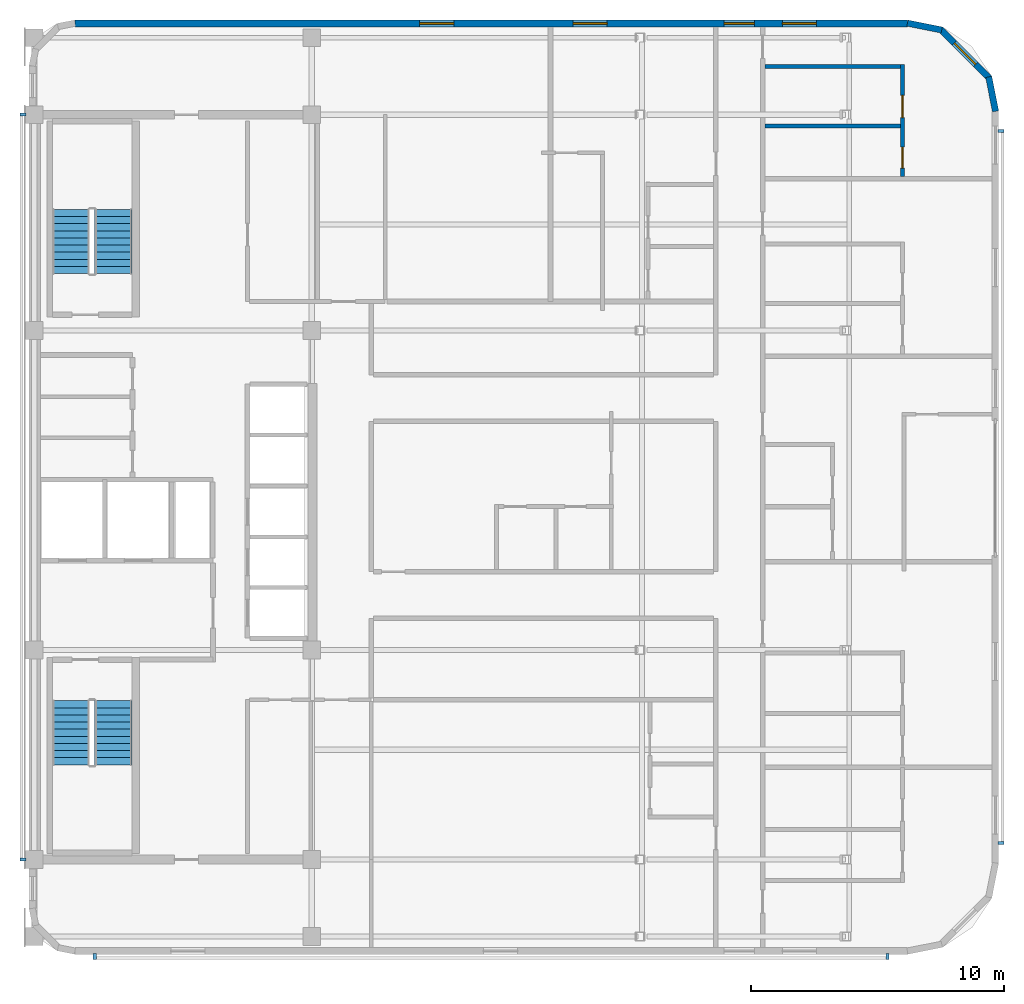
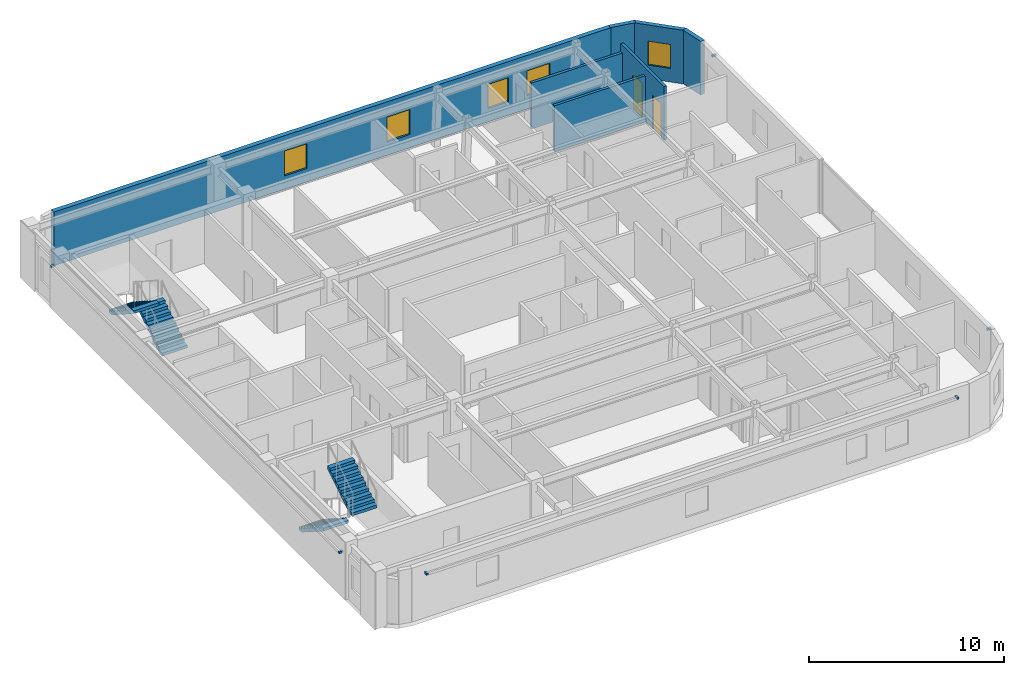
# One storey, part 7 of 10: 7 walls, 6 discrete accessories, 5 windows, 4 stair flights, 2 doors, 7 openings, 2 elements without a shape of their own.
"""IFC4 building model written with IfcOpenShell, lengths in metres."""

from ifc_helpers import new_model, si_unit, direction, frame, frame_2d, origin, origin_2d, place, context, subcontext, project, spatial, polyline, rectangle, outline, extrude, material, layer, layer_set, type_object, element, fill, aggregate, save


model = new_model("IFC4")

# Units and contexts
model_context = context("Model", 3, precision=1e-05, world=origin(), true_north=direction((0.0, 1.0)))
body_context = subcontext(model_context, "Body", "Model", "MODEL_VIEW")
ifc_project = project(units=[si_unit("LENGTHUNIT", "METRE"), si_unit("AREAUNIT", "SQUARE_METRE"), si_unit("VOLUMEUNIT", "CUBIC_METRE"), si_unit("PLANEANGLEUNIT", "RADIAN"), si_unit("MASSUNIT", "GRAM", prefix="KILO")], contexts=[model_context])

# Site, building, storey
site_placement = place(None, origin())
site = spatial("IfcSite", under=ifc_project, at=site_placement, CompositionType="ELEMENT")
building_placement = place(site_placement, origin())
building = spatial("IfcBuilding", under=site, at=building_placement, Name="Ochreholt Gables", CompositionType="ELEMENT")
storey_placement = place(building_placement, frame((0.0, 0.0, 235.199951171875)))
storey = spatial("IfcBuildingStorey", under=building, at=storey_placement, Name="L61", CompositionType="ELEMENT", Elevation=235.199951171875)

# Wall, openings, windows
ifc_material_1 = material(Name="Precast concrete 40 MPa", Category="concrete")
ifc_layer_1 = layer(ifc_material_1, 0.27001953125, Name="Precast concrete 40 MPa")
ifc_layer_set_1 = layer_set([ifc_layer_1], Name="Precast concrete 40 MPa")
wall_type_1 = type_object("IfcWallType", Name="WALL-EXT-270", PredefinedType="SOLIDWALL", material=ifc_layer_set_1)
wall_1_placement = place(storey_placement, frame((58.780029296875, 42.364990234375, 0.0), z_axis=(0.0, 0.0, 1.0), x_axis=(-1.0, 0.0, 0.0)))
wall_1 = element("IfcWall", 1, at=wall_1_placement, inside=storey, type_object=wall_type_1, Name="L61 North Exterior Wall", PredefinedType="SOLIDWALL", context=body_context, shape_type="SweptSolid", body=[
    extrude(rectangle(XDim=32.9599609375, YDim=0.27001953125, at=frame_2d((16.47998046875, 0.0))), origin(), (0.0, 0.0, 1.0), 3.360107421875),
])
opening_1_placement = place(wall_1_placement, frame((17.9599609375, 0.0, 0.85009765625)))
opening_1 = element("IfcOpeningElement", 2, at=opening_1_placement, cuts=wall_1, Name="Opening WN-8", PredefinedType="OPENING", context=body_context, shape_type="SweptSolid", body=[
    extrude(rectangle(XDim=1.35009765625, YDim=1.550048828125, at=frame_2d((0.675048828125, 0.77490234375))), frame((0.0, 0.14501953125, 0.0), z_axis=(0.0, -1.0, 0.0), x_axis=(1.0, 0.0, 0.0)), (0.0, 0.0, 1.0), 0.2900390625),
])
opening_2_placement = place(wall_1_placement, frame((11.884521484375, 0.0, 0.85009765625)))
opening_2 = element("IfcOpeningElement", 3, at=opening_2_placement, cuts=wall_1, Name="Opening WN-8", PredefinedType="OPENING", context=body_context, shape_type="SweptSolid", body=[
    extrude(rectangle(XDim=1.35009765625, YDim=1.550048828125, at=frame_2d((0.675048828125, 0.77490234375))), frame((0.0, 0.14501953125, 0.0), z_axis=(0.0, -1.0, 0.0), x_axis=(1.0, 0.0, 0.0)), (0.0, 0.0, 1.0), 0.2900390625),
])
opening_3_placement = place(wall_1_placement, frame((6.054931640625, 0.0, 0.85009765625)))
opening_3 = element("IfcOpeningElement", 4, at=opening_3_placement, cuts=wall_1, Name="Opening WN-3", PredefinedType="OPENING", context=body_context, shape_type="SweptSolid", body=[
    extrude(rectangle(XDim=1.199951171875, YDim=1.5, at=frame_2d((0.60009765625, 0.75))), frame((0.0, 0.14501953125, 0.0), z_axis=(0.0, -1.0, 0.0), x_axis=(1.0, 0.0, 0.0)), (0.0, 0.0, 1.0), 0.2900390625),
])
opening_4_placement = place(wall_1_placement, frame((3.5986328125, 0.0, 0.85009765625)))
opening_4 = element("IfcOpeningElement", 5, at=opening_4_placement, cuts=wall_1, Name="Opening WN-8", PredefinedType="OPENING", context=body_context, shape_type="SweptSolid", body=[
    extrude(rectangle(XDim=1.35009765625, YDim=1.550048828125, at=frame_2d((0.675048828125, 0.77490234375))), frame((0.0, 0.14501953125, 0.0), z_axis=(0.0, -1.0, 0.0), x_axis=(1.0, 0.0, 0.0)), (0.0, 0.0, 1.0), 0.2900390625),
])
ifc_material_2 = material(Name="Triple-Glazed Thermally Broken Aluminium Window", Category="aluminium")
window_type_1 = type_object("IfcWindowType", Name="WIN-RES-1200", PartitioningType="SINGLE_PANEL", PredefinedType="WINDOW", material=ifc_material_2)
window_1_placement = place(opening_3_placement, origin())
window_1 = element("IfcWindow", 6, at=window_1_placement, inside=storey, type_object=window_type_1, Name="L61 Window W-EXT-N-L61-3", OverallHeight=1.5, OverallWidth=1.199951171875, PartitioningType="SINGLE_PANEL", PredefinedType="WINDOW", context=body_context, shape_type="SweptSolid", body=[
    extrude(rectangle(XDim=1.199951171875, YDim=1.5, at=frame_2d((0.60009765625, 0.75))), frame((0.0, 0.030029296875, 0.0), z_axis=(0.0, -1.0, 0.0), x_axis=(1.0, 0.0, 0.0)), (0.0, 0.0, 1.0), 0.06005859375),
])
fill(opening_3, window_1)
window_type_2 = type_object("IfcWindowType", Name="WIN-RES-1350", PartitioningType="SINGLE_PANEL", PredefinedType="WINDOW", material=ifc_material_2)
window_2_placement = place(opening_1_placement, origin())
window_2 = element("IfcWindow", 7, at=window_2_placement, inside=storey, type_object=window_type_2, Name="L61 Window W-EXT-N-L61-1", OverallHeight=1.550048828125, OverallWidth=1.35009765625, PartitioningType="SINGLE_PANEL", PredefinedType="WINDOW", context=body_context, shape_type="SweptSolid", body=[
    extrude(rectangle(XDim=1.35009765625, YDim=1.550048828125, at=frame_2d((0.675048828125, 0.77490234375))), frame((0.0, 0.030029296875, 0.0), z_axis=(0.0, -1.0, 0.0), x_axis=(1.0, 0.0, 0.0)), (0.0, 0.0, 1.0), 0.06005859375),
])
fill(opening_1, window_2)
window_3_placement = place(opening_2_placement, origin())
window_3 = element("IfcWindow", 8, at=window_3_placement, inside=storey, type_object=window_type_2, Name="L61 Window W-EXT-N-L61-2", OverallHeight=1.550048828125, OverallWidth=1.35009765625, PartitioningType="SINGLE_PANEL", PredefinedType="WINDOW", context=body_context, shape_type="SweptSolid", body=[
    extrude(rectangle(XDim=1.35009765625, YDim=1.550048828125, at=frame_2d((0.675048828125, 0.77490234375))), frame((0.0, 0.030029296875, 0.0), z_axis=(0.0, -1.0, 0.0), x_axis=(1.0, 0.0, 0.0)), (0.0, 0.0, 1.0), 0.06005859375),
])
fill(opening_2, window_3)
window_4_placement = place(opening_4_placement, origin())
window_4 = element("IfcWindow", 9, at=window_4_placement, inside=storey, type_object=window_type_2, Name="L61 Window W-EXT-N-L61-4", OverallHeight=1.550048828125, OverallWidth=1.35009765625, PartitioningType="SINGLE_PANEL", PredefinedType="WINDOW", context=body_context, shape_type="SweptSolid", body=[
    extrude(rectangle(XDim=1.35009765625, YDim=1.550048828125, at=frame_2d((0.675048828125, 0.77490234375))), frame((0.0, 0.030029296875, 0.0), z_axis=(0.0, -1.0, 0.0), x_axis=(1.0, 0.0, 0.0)), (0.0, 0.0, 1.0), 0.06005859375),
])
fill(opening_4, window_4)

# Wall
ifc_layer_2 = layer(ifc_material_1, 0.25, Name="Precast concrete 40 MPa")
ifc_layer_set_2 = layer_set([ifc_layer_2], Name="Precast concrete 40 MPa")
wall_type_2 = type_object("IfcWallType", Name="WALL-EXT-CNR", PredefinedType="SOLIDWALL", material=ifc_layer_set_2)
wall_2_placement = place(storey_placement, frame((62.27587890625, 38.883544921875, 0.0), z_axis=(0.0, 0.0, 1.0), x_axis=(-0.195135625965, 0.9807762678, 0.0)))
element("IfcWall", 10, at=wall_2_placement, inside=storey, type_object=wall_type_2, Name="L61 Rounded Corner Wall NE-1", PredefinedType="SOLIDWALL", context=body_context, shape_type="SweptSolid", body=[
    extrude(rectangle(XDim=1.388671875, YDim=0.25, at=frame_2d((0.6943359375, 0.0))), origin(), (0.0, 0.0, 1.0), 3.360107421875),
])

# Wall, opening, window
wall_3_placement = place(storey_placement, frame((62.031982421875, 40.195068359375, 0.0), z_axis=(0.0, 0.0, 1.0), x_axis=(-0.707106781187, 0.707106781187, 0.0)))
wall_3 = element("IfcWall", 11, at=wall_3_placement, inside=storey, type_object=wall_type_2, Name="L61 Rounded Corner Wall NE-2", PredefinedType="SOLIDWALL", context=body_context, shape_type="SweptSolid", body=[
    extrude(rectangle(XDim=2.7392578125, YDim=0.25, at=frame_2d((1.36962890625, 0.0))), origin(), (0.0, 0.0, 1.0), 3.360107421875),
])
opening_5_placement = place(wall_3_placement, frame((0.769775390625, 0.0, 0.85009765625)))
opening_5 = element("IfcOpeningElement", 12, at=opening_5_placement, cuts=wall_3, Name="Opening WN-3", PredefinedType="OPENING", context=body_context, shape_type="SweptSolid", body=[
    extrude(rectangle(XDim=1.199951171875, YDim=1.5, at=frame_2d((0.60009765625, 0.75))), frame((0.0, 0.135009765625, 0.0), z_axis=(0.0, -1.0, 0.0), x_axis=(1.0, 0.0, 0.0)), (0.0, 0.0, 1.0), 0.27001953125),
])
window_5_placement = place(opening_5_placement, origin())
window_5 = element("IfcWindow", 13, at=window_5_placement, inside=storey, type_object=window_type_1, Name="L61 Corner Bedroom Window NE", OverallHeight=1.5, OverallWidth=1.199951171875, PartitioningType="SINGLE_PANEL", PredefinedType="WINDOW", context=body_context, shape_type="SweptSolid", body=[
    extrude(rectangle(XDim=1.199951171875, YDim=1.5, at=frame_2d((0.60009765625, 0.75))), frame((0.0, 0.030029296875, 0.0), z_axis=(0.0, -1.0, 0.0), x_axis=(1.0, 0.0, 0.0)), (0.0, 0.0, 1.0), 0.06005859375),
])
fill(opening_5, window_5)

# Walls
wall_4_placement = place(storey_placement, frame((60.1455078125, 42.10498046875, 0.0), z_axis=(0.0, 0.0, 1.0), x_axis=(-0.980809899341, 0.19496651342, 0.0)))
element("IfcWall", 14, at=wall_4_placement, inside=storey, type_object=wall_type_2, Name="L61 Rounded Corner Wall NE-3", PredefinedType="SOLIDWALL", context=body_context, shape_type="SweptSolid", body=[
    extrude(rectangle(XDim=1.388671875, YDim=0.25, at=frame_2d((0.6943359375, 0.0))), origin(), (0.0, 0.0, 1.0), 3.360107421875),
])
ifc_material_3 = material(Name="Moisture-Resistant Plumbing Chase Wall", Category="gypsum")
ifc_layer_3 = layer(ifc_material_3, 0.159912109375, Name="Moisture-Resistant Plumbing Chase Wall")
ifc_layer_set_3 = layer_set([ifc_layer_3], Name="Moisture-Resistant Plumbing Chase Wall")
wall_type_3 = type_object("IfcWallType", Name="WALL-INT-PL160", PredefinedType="PLUMBINGWALL", material=ifc_layer_set_3)
wall_5_placement = place(storey_placement, frame((53.139892578125, 40.64990234375, 0.0), z_axis=(0.0, 0.0, 1.0), x_axis=(1.0, 0.0, 0.0)))
element("IfcWall", 15, at=wall_5_placement, inside=storey, type_object=wall_type_3, Name="L61 Interior Wall WU-L61E5-WYN", PredefinedType="PLUMBINGWALL", context=body_context, shape_type="SweptSolid", body=[
    extrude(rectangle(XDim=5.530029296875, YDim=0.159912109375, at=frame_2d((2.76513671875, 0.0))), origin(), (0.0, 0.0, 1.0), 2.879150390625),
])

# Wall, openings, doors
wall_6_placement = place(storey_placement, frame((58.590087890625, 36.302490234375, 0.0), z_axis=(0.0, 0.0, 1.0), x_axis=(0.0, 1.0, 0.0)))
wall_6 = element("IfcWall", 16, at=wall_6_placement, inside=storey, type_object=wall_type_3, Name="L61 Interior Wall WU-L61E5-WX", PredefinedType="PLUMBINGWALL", context=body_context, shape_type="SweptSolid", body=[
    extrude(rectangle(XDim=4.4375, YDim=0.159912109375, at=frame_2d((2.21875, 0.0))), origin(), (0.0, 0.0, 1.0), 3.360107421875),
])
opening_6_placement = place(wall_6_placement, frame((0.327392578125, 0.0, 0.0)))
opening_6 = element("IfcOpeningElement", 17, at=opening_6_placement, cuts=wall_6, Name="Opening D-BT2", PredefinedType="OPENING", context=body_context, shape_type="SweptSolid", body=[
    extrude(rectangle(XDim=0.840087890625, YDim=2.1201171875, at=frame_2d((0.419921875, 1.06005859375))), frame((0.0, 0.08984375, 0.0), z_axis=(0.0, -1.0, 0.0), x_axis=(1.0, 0.0, 0.0)), (0.0, 0.0, 1.0), 0.179931640625),
])
opening_7_placement = place(wall_6_placement, frame((2.32861328125, 0.0, 0.0)))
opening_7 = element("IfcOpeningElement", 18, at=opening_7_placement, cuts=wall_6, Name="Opening D-GN2", PredefinedType="OPENING", context=body_context, shape_type="SweptSolid", body=[
    extrude(rectangle(XDim=0.8798828125, YDim=2.1201171875, at=frame_2d((0.43994140625, 1.06005859375))), frame((0.0, 0.08984375, 0.0), z_axis=(0.0, -1.0, 0.0), x_axis=(1.0, 0.0, 0.0)), (0.0, 0.0, 1.0), 0.179931640625),
])
ifc_material_4 = material(Name="Engineered Oak Timber", Category="wood")
door_type_1 = type_object("IfcDoorType", Name="DR-INT-BTH840", OperationType="NOTDEFINED", PredefinedType="DOOR", material=ifc_material_4)
door_1_placement = place(opening_6_placement, origin())
door_1 = element("IfcDoor", 19, at=door_1_placement, inside=storey, type_object=door_type_1, Name="L61 Door D-U-L61E5-BTH", OperationType="SINGLE_SWING_LEFT", OverallHeight=2.1201171875, OverallWidth=0.840087890625, PredefinedType="DOOR", context=body_context, shape_type="SweptSolid", body=[
    extrude(rectangle(XDim=0.840087890625, YDim=2.1201171875, at=frame_2d((0.419921875, 1.06005859375))), frame((0.0, 0.02490234375, 0.0), z_axis=(0.0, -1.0, 0.0), x_axis=(1.0, 0.0, 0.0)), (0.0, 0.0, 1.0), 0.050048828125),
])
fill(opening_6, door_1)
door_type_2 = type_object("IfcDoorType", Name="DR-INT-GEN880", OperationType="NOTDEFINED", PredefinedType="DOOR", material=ifc_material_4)
door_2_placement = place(opening_7_placement, origin())
door_2 = element("IfcDoor", 20, at=door_2_placement, inside=storey, type_object=door_type_2, Name="L61 Door D-U-L61E5-KIT", OperationType="SINGLE_SWING_RIGHT", OverallHeight=2.1201171875, OverallWidth=0.8798828125, PredefinedType="DOOR", context=body_context, shape_type="SweptSolid", body=[
    extrude(rectangle(XDim=0.8798828125, YDim=2.1201171875, at=frame_2d((0.43994140625, 1.06005859375))), frame((0.0, 0.02490234375, 0.0), z_axis=(0.0, -1.0, 0.0), x_axis=(1.0, 0.0, 0.0)), (0.0, 0.0, 1.0), 0.050048828125),
])
fill(opening_7, door_2)

# Wall
wall_7_placement = place(storey_placement, frame((53.139892578125, 38.301025390625, 0.0), z_axis=(0.0, 0.0, 1.0), x_axis=(1.0, 0.0, 0.0)))
element("IfcWall", 21, at=wall_7_placement, inside=storey, type_object=wall_type_3, Name="L61 Interior Wall WU-L61E5-WM", PredefinedType="PLUMBINGWALL", context=body_context, shape_type="SweptSolid", body=[
    extrude(rectangle(XDim=5.3701171875, YDim=0.159912109375, at=frame_2d((2.68505859375, 0.0))), origin(), (0.0, 0.0, 1.0), 2.879150390625),
])

# Stair, stair flights
ifc_material_5 = material(Name="Concrete 40 MPa", Category="concrete")
stair_type_1 = type_object("IfcStairType", Name="STAIR-CORE-ST-1", PredefinedType="HALF_TURN_STAIR", material=ifc_material_5)
stair_1_placement = place(storey_placement, origin())
stair_1 = element("IfcStair", 22, at=stair_1_placement, inside=storey, type_object=stair_type_1, Name="L61 Core Exit Stair 1", PredefinedType="HALF_TURN_STAIR")
stair_flight_type = type_object("IfcStairFlightType", Name="FLIGHT-ST-1480-1800", PredefinedType="STRAIGHT", material=ifc_material_5)
stair_flight_1_placement = place(storey_placement, frame((25.659912109375, 15.5400390625, 0.0), z_axis=(0.0, 0.0, 1.0), x_axis=(0.0, -1.0, 0.0)))
stair_flight_1 = element("IfcStairFlight", 23, at=stair_flight_1_placement, type_object=stair_flight_type, Name="ST-1 flight 1", NumberOfRisers=10, NumberOfTreads=9, PredefinedType="STRAIGHT", RiserHeight=0.18, TreadLength=0.282, context=body_context, shape_type="SweptSolid", body=[
    extrude(outline(polyline([(0.0, 0.0), (0.0, 0.179931640625), (0.281982421875, 0.179931640625), (0.281982421875, 0.360107421875), (0.56396484375, 0.360107421875), (0.56396484375, 0.5400390625), (0.845947265625, 0.5400390625), (0.845947265625, 0.719970703125), (1.1279296875, 0.719970703125), (1.1279296875, 0.89990234375), (1.409912109375, 0.89990234375), (1.409912109375, 1.080078125), (1.69189453125, 1.080078125), (1.69189453125, 1.260009765625), (1.97412109375, 1.260009765625), (1.97412109375, 1.43994140625), (2.256103515625, 1.43994140625), (2.256103515625, 1.6201171875), (2.5380859375, 1.6201171875), (2.5380859375, 1.800048828125), (2.5380859375, 1.442138671875), (0.278564453125, 0.0), (0.0, 0.0)])), frame((0.0, 0.739990234375, 0.0), z_axis=(0.0, -1.0, 0.0), x_axis=(1.0, 0.0, 0.0)), (0.0, 0.0, 1.0), 1.47998046875),
])
stair_flight_2_placement = place(storey_placement, frame((27.340087890625, 13.001953125, 1.800048828125), z_axis=(0.0, 0.0, 1.0), x_axis=(0.0, 1.0, 0.0)))
stair_flight_2 = element("IfcStairFlight", 24, at=stair_flight_2_placement, type_object=stair_flight_type, Name="ST-1 flight 2", NumberOfRisers=10, NumberOfTreads=9, PredefinedType="STRAIGHT", RiserHeight=0.18, TreadLength=0.282, context=body_context, shape_type="SweptSolid", body=[
    extrude(outline(polyline([(0.0, 0.0), (0.0, 0.179931640625), (0.281982421875, 0.179931640625), (0.281982421875, 0.360107421875), (0.56396484375, 0.360107421875), (0.56396484375, 0.5400390625), (0.845947265625, 0.5400390625), (0.845947265625, 0.719970703125), (1.1279296875, 0.719970703125), (1.1279296875, 0.89990234375), (1.409912109375, 0.89990234375), (1.409912109375, 1.080078125), (1.69189453125, 1.080078125), (1.69189453125, 1.260009765625), (1.97412109375, 1.260009765625), (1.97412109375, 1.43994140625), (2.256103515625, 1.43994140625), (2.256103515625, 1.6201171875), (2.5380859375, 1.6201171875), (2.5380859375, 1.800048828125), (2.5380859375, 1.442138671875), (0.278564453125, 0.0), (0.0, 0.0)])), frame((0.0, 0.739990234375, 0.0), z_axis=(0.0, -1.0, 0.0), x_axis=(1.0, 0.0, 0.0)), (0.0, 0.0, 1.0), 1.47998046875),
])
aggregate(stair_1, [stair_flight_1, stair_flight_2])

stair_type_2 = type_object("IfcStairType", Name="STAIR-CORE-ST-2", PredefinedType="HALF_TURN_STAIR", material=ifc_material_5)
stair_2_placement = place(storey_placement, origin())
stair_2 = element("IfcStair", 25, at=stair_2_placement, inside=storey, type_object=stair_type_2, Name="L61 Core Exit Stair 2", PredefinedType="HALF_TURN_STAIR")
stair_flight_3_placement = place(storey_placement, frame((27.340087890625, 32.4599609375, 0.0), z_axis=(0.0, 0.0, 1.0), x_axis=(0.0, 1.0, 0.0)))
stair_flight_3 = element("IfcStairFlight", 26, at=stair_flight_3_placement, type_object=stair_flight_type, Name="ST-2 flight 1", NumberOfRisers=10, NumberOfTreads=9, PredefinedType="STRAIGHT", RiserHeight=0.18, TreadLength=0.282, context=body_context, shape_type="SweptSolid", body=[
    extrude(outline(polyline([(0.0, 0.0), (0.0, 0.179931640625), (0.281982421875, 0.179931640625), (0.281982421875, 0.360107421875), (0.56396484375, 0.360107421875), (0.56396484375, 0.5400390625), (0.845947265625, 0.5400390625), (0.845947265625, 0.719970703125), (1.1279296875, 0.719970703125), (1.1279296875, 0.89990234375), (1.409912109375, 0.89990234375), (1.409912109375, 1.080078125), (1.69189453125, 1.080078125), (1.69189453125, 1.260009765625), (1.97412109375, 1.260009765625), (1.97412109375, 1.43994140625), (2.256103515625, 1.43994140625), (2.256103515625, 1.6201171875), (2.5380859375, 1.6201171875), (2.5380859375, 1.800048828125), (2.5380859375, 1.442138671875), (0.278564453125, 0.0), (0.0, 0.0)])), frame((0.0, 0.739990234375, 0.0), z_axis=(0.0, -1.0, 0.0), x_axis=(1.0, 0.0, 0.0)), (0.0, 0.0, 1.0), 1.47998046875),
])
stair_flight_4_placement = place(storey_placement, frame((25.659912109375, 34.998046875, 1.800048828125), z_axis=(0.0, 0.0, 1.0), x_axis=(0.0, -1.0, 0.0)))
stair_flight_4 = element("IfcStairFlight", 27, at=stair_flight_4_placement, type_object=stair_flight_type, Name="ST-2 flight 2", NumberOfRisers=10, NumberOfTreads=9, PredefinedType="STRAIGHT", RiserHeight=0.18, TreadLength=0.282, context=body_context, shape_type="SweptSolid", body=[
    extrude(outline(polyline([(0.0, 0.0), (0.0, 0.179931640625), (0.281982421875, 0.179931640625), (0.281982421875, 0.360107421875), (0.56396484375, 0.360107421875), (0.56396484375, 0.5400390625), (0.845947265625, 0.5400390625), (0.845947265625, 0.719970703125), (1.1279296875, 0.719970703125), (1.1279296875, 0.89990234375), (1.409912109375, 0.89990234375), (1.409912109375, 1.080078125), (1.69189453125, 1.080078125), (1.69189453125, 1.260009765625), (1.97412109375, 1.260009765625), (1.97412109375, 1.43994140625), (2.256103515625, 1.43994140625), (2.256103515625, 1.6201171875), (2.5380859375, 1.6201171875), (2.5380859375, 1.800048828125), (2.5380859375, 1.442138671875), (0.278564453125, 0.0), (0.0, 0.0)])), frame((0.0, 0.739990234375, 0.0), z_axis=(0.0, -1.0, 0.0), x_axis=(1.0, 0.0, 0.0)), (0.0, 0.0, 1.0), 1.47998046875),
])
aggregate(stair_2, [stair_flight_3, stair_flight_4])

# Discrete accessories
ifc_material_6 = material(Name="Extruded Aluminium Standoff Bracket", Category="aluminium")
discrete_accessory_type = type_object("IfcDiscreteAccessoryType", Name="ACC-BRACKET-AL", PredefinedType="BRACKET", material=ifc_material_6)
for number, where, z_axis, x_axis, name in (
    (28, (26.60009765625, 5.409912109375, 2.780029296875), (0.0, 0.0, 1.0), (1.0, 0.0, 0.0), "L61 Baguette Standoff Bracket S1-1"),
    (29, (58.0, 5.409912109375, 2.780029296875), (0.0, 0.0, 1.0), (1.0, 0.0, 0.0), "L61 Baguette Standoff Bracket S1-2"),
    (30, (62.489990234375, 9.89990234375, 2.780029296875), (0.0, 0.0, 1.0), (0.0, 1.0, 0.0), "L61 Baguette Standoff Bracket E1-1"),
    (31, (62.489990234375, 38.10009765625, 2.780029296875), (0.0, 0.0, 1.0), (0.0, 1.0, 0.0), "L61 Baguette Standoff Bracket E1-2"),
    (32, (23.760009765625, 38.75, 2.780029296875), (0.0, 0.0, 1.0), (0.0, -1.0, 0.0), "L61 Baguette Standoff Bracket W1-1"),
    (33, (23.760009765625, 9.25, 2.780029296875), (0.0, 0.0, 1.0), (0.0, -1.0, 0.0), "L61 Baguette Standoff Bracket W1-2"),
):
    element("IfcDiscreteAccessory", number, at=place(storey_placement, frame(where, z_axis=z_axis, x_axis=x_axis)), inside=storey, type_object=discrete_accessory_type, Name=name, PredefinedType="BRACKET", context=body_context, shape_type="SweptSolid", body=[
        extrude(rectangle(XDim=0.1201171875, YDim=0.239990234375, at=origin_2d()), origin(), (0.0, 0.0, 1.0), 0.1201171875),
    ])

save(model, "model.ifc")
